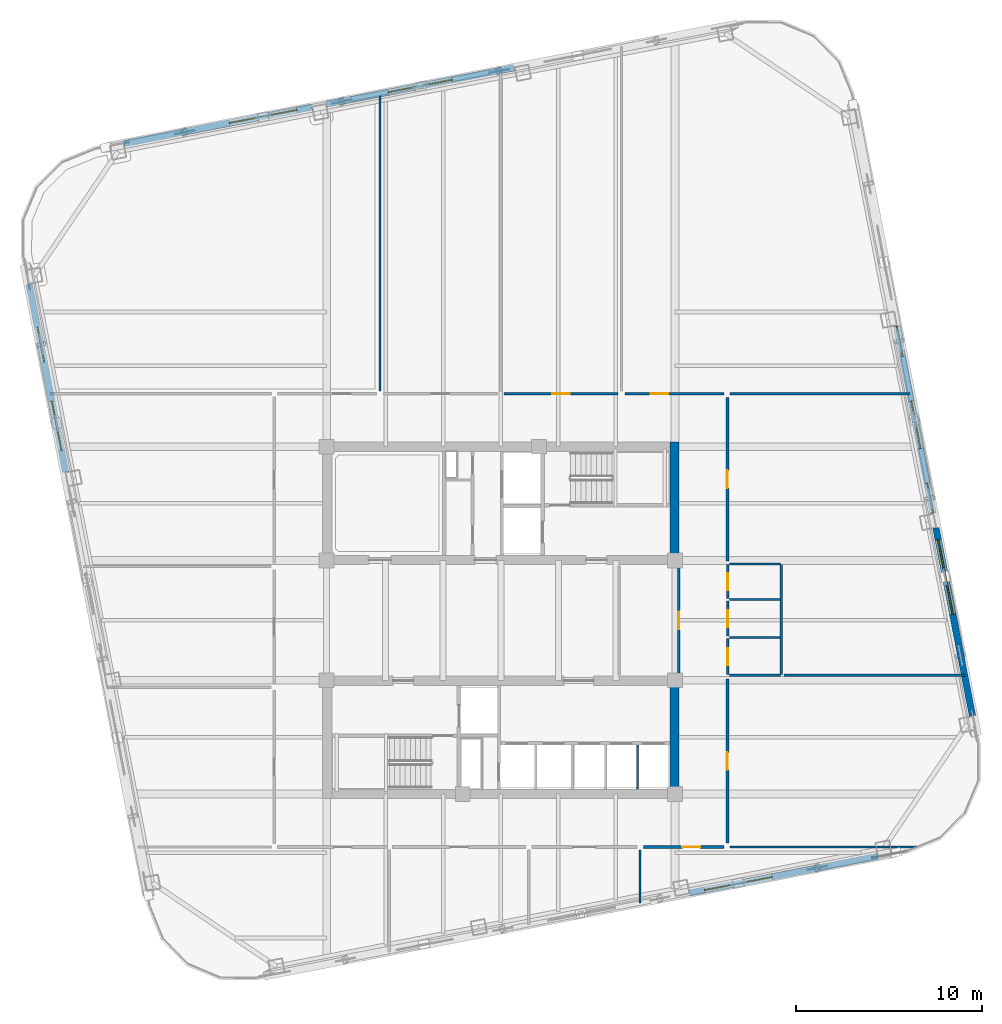
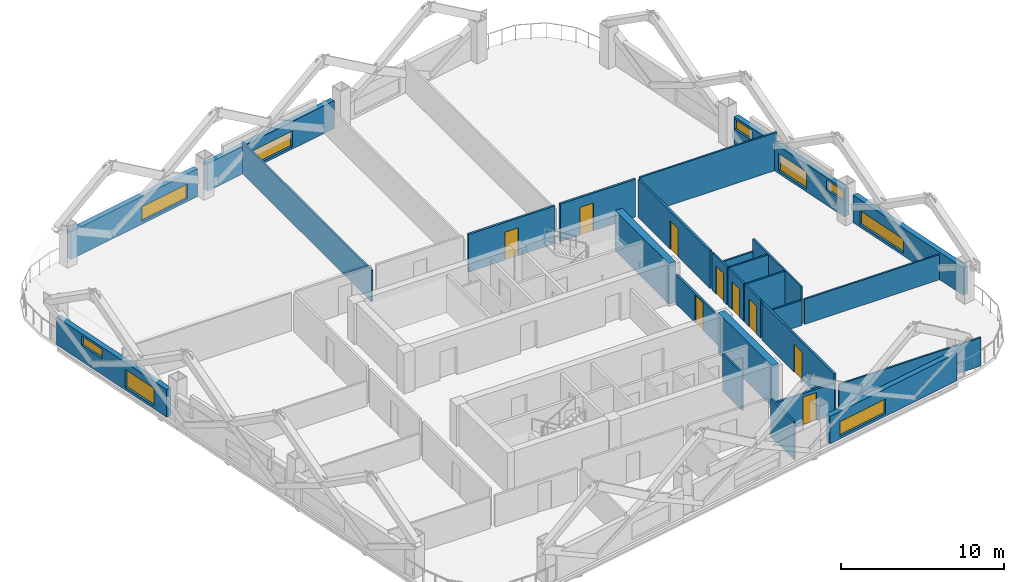
# One storey, part 6 of 10: 28 walls, 9 doors, 9 windows, 18 openings.
"""IFC4 building model written with IfcOpenShell, lengths in metres."""

from ifc_helpers import new_model, si_unit, direction, frame, frame_2d, origin, place, context, subcontext, project, spatial, rectangle, extrude, material, layer, layer_set, type_object, element, fill, save


model = new_model("IFC4")

# Units and contexts
model_context = context("Model", 3, precision=1e-05, world=origin(), true_north=direction((0.0, 1.0)))
body_context = subcontext(model_context, "Body", "Model", "MODEL_VIEW")
ifc_project = project(units=[si_unit("LENGTHUNIT", "METRE"), si_unit("AREAUNIT", "SQUARE_METRE"), si_unit("VOLUMEUNIT", "CUBIC_METRE"), si_unit("PLANEANGLEUNIT", "RADIAN"), si_unit("MASSUNIT", "GRAM", prefix="KILO")], contexts=[model_context])

# Site, building, storey
site_placement = place(None, origin())
site = spatial("IfcSite", under=ifc_project, at=site_placement, CompositionType="ELEMENT")
building_placement = place(site_placement, origin())
building = spatial("IfcBuilding", under=site, at=building_placement, Name="Qhalaya Broadcast Tower", CompositionType="ELEMENT")
storey_placement = place(building_placement, frame((0.0, 0.0, 131.10009765625)))
storey = spatial("IfcBuildingStorey", under=building, at=storey_placement, Name="L38", CompositionType="ELEMENT", Elevation=131.10009765625)

# Wall, opening, door
ifc_material_1 = material(Name="Gypsum Acoustic Partition")
ifc_layer_1 = layer(ifc_material_1, 0.14990234375, Name="Gypsum Acoustic Partition")
ifc_layer_set_1 = layer_set([ifc_layer_1], Name="Gypsum Acoustic Partition")
wall_type_1 = type_object("IfcWallType", Name="Corridor & Tenancy Acoustic Partition 150", PredefinedType="PARTITIONING", material=ifc_layer_set_1)
wall_1_placement = place(storey_placement, frame((9.580078125, -2.320068359375, 0.0), z_axis=(0.0, 0.0, 1.0), x_axis=(0.0, 1.0, 0.0)))
wall_1 = element("IfcWall", 1, at=wall_1_placement, inside=storey, type_object=wall_type_1, Name="L38 Partition Wall W-ICHE", PredefinedType="PARTITIONING", context=body_context, shape_type="SweptSolid", body=[
    extrude(rectangle(XDim=5.840087890625, YDim=0.14990234375, at=frame_2d((2.919921875, 0.0))), origin(), (0.0, 0.0, 1.0), 2.197998046875),
])
opening_1_placement = place(wall_1_placement, frame((2.445068359375, 0.0, 0.0)))
opening_1 = element("IfcOpeningElement", 2, at=opening_1_placement, cuts=wall_1, Name="Opening D10", PredefinedType="OPENING", context=body_context, shape_type="SweptSolid", body=[
    extrude(rectangle(XDim=0.949951171875, YDim=2.10009765625, at=frame_2d((0.47509765625, 1.050048828125))), frame((0.0, 0.0869140625, 0.0), z_axis=(0.0, -1.0, 0.0), x_axis=(1.0, 0.0, 0.0)), (0.0, 0.0, 1.0), 0.173828125),
])
ifc_material_2 = material(Name="Timber Veneer Acoustic Door", Category="wood")
door_type_1 = type_object("IfcDoorType", Name="Cellular Office & Edit Booth Door D10", OperationType="NOTDEFINED", PredefinedType="DOOR", material=ifc_material_2)
door_1_placement = place(opening_1_placement, origin())
door_1 = element("IfcDoor", 3, at=door_1_placement, inside=storey, type_object=door_type_1, Name="L38 Door D-ICHE", OperationType="SINGLE_SWING_RIGHT", OverallHeight=2.10009765625, OverallWidth=0.949951171875, PredefinedType="DOOR", context=body_context, shape_type="SweptSolid", body=[
    extrude(rectangle(XDim=0.949951171875, YDim=2.10009765625, at=frame_2d((0.47509765625, 1.050048828125))), frame((0.0, 0.02490234375, 0.0), z_axis=(0.0, -1.0, 0.0), x_axis=(1.0, 0.0, 0.0)), (0.0, 0.0, 1.0), 0.050048828125),
])
fill(opening_1, door_1)

wall_2_placement = place(storey_placement, frame((0.179931640625, 12.800048828125, 0.0), z_axis=(0.0, 0.0, 1.0), x_axis=(1.0, 0.0, 0.0)))
wall_2 = element("IfcWall", 4, at=wall_2_placement, inside=storey, type_object=wall_type_1, Name="L38 Partition Wall W-COR-03", PredefinedType="PARTITIONING", context=body_context, shape_type="SweptSolid", body=[
    extrude(rectangle(XDim=6.14013671875, YDim=0.14990234375, at=frame_2d((3.070068359375, 0.0))), origin(), (0.0, 0.0, 1.0), 2.829833984375),
])
opening_2_placement = place(wall_2_placement, frame((2.594970703125, 0.0, 0.0)))
opening_2 = element("IfcOpeningElement", 5, at=opening_2_placement, cuts=wall_2, Name="Opening D10", PredefinedType="OPENING", context=body_context, shape_type="SweptSolid", body=[
    extrude(rectangle(XDim=0.949951171875, YDim=2.10009765625, at=frame_2d((0.47509765625, 1.050048828125))), frame((0.0, 0.0869140625, 0.0), z_axis=(0.0, -1.0, 0.0), x_axis=(1.0, 0.0, 0.0)), (0.0, 0.0, 1.0), 0.173828125),
])
door_2_placement = place(opening_2_placement, origin())
door_2 = element("IfcDoor", 6, at=door_2_placement, inside=storey, type_object=door_type_1, Name="L38 Door D-RM03", OperationType="SINGLE_SWING_RIGHT", OverallHeight=2.10009765625, OverallWidth=0.949951171875, PredefinedType="DOOR", context=body_context, shape_type="SweptSolid", body=[
    extrude(rectangle(XDim=0.949951171875, YDim=2.10009765625, at=frame_2d((0.47509765625, 1.050048828125))), frame((0.0, 0.02490234375, 0.0), z_axis=(0.0, -1.0, 0.0), x_axis=(1.0, 0.0, 0.0)), (0.0, 0.0, 1.0), 0.050048828125),
])
fill(opening_2, door_2)

wall_3_placement = place(storey_placement, frame((6.679931640625, 12.800048828125, 0.0), z_axis=(0.0, 0.0, 1.0), x_axis=(1.0, 0.0, 0.0)))
wall_3 = element("IfcWall", 7, at=wall_3_placement, inside=storey, type_object=wall_type_1, Name="L38 Partition Wall W-COR-04", PredefinedType="PARTITIONING", context=body_context, shape_type="SweptSolid", body=[
    extrude(rectangle(XDim=5.340087890625, YDim=0.14990234375, at=frame_2d((2.669921875, 0.0))), origin(), (0.0, 0.0, 1.0), 2.829833984375),
])
opening_3_placement = place(wall_3_placement, frame((1.39501953125, 0.0, 0.0)))
opening_3 = element("IfcOpeningElement", 8, at=opening_3_placement, cuts=wall_3, Name="Opening D10", PredefinedType="OPENING", context=body_context, shape_type="SweptSolid", body=[
    extrude(rectangle(XDim=0.949951171875, YDim=2.10009765625, at=frame_2d((0.47509765625, 1.050048828125))), frame((0.0, 0.0869140625, 0.0), z_axis=(0.0, -1.0, 0.0), x_axis=(1.0, 0.0, 0.0)), (0.0, 0.0, 1.0), 0.173828125),
])
door_3_placement = place(opening_3_placement, origin())
door_3 = element("IfcDoor", 9, at=door_3_placement, inside=storey, type_object=door_type_1, Name="L38 Door D-RM04", OperationType="SINGLE_SWING_LEFT", OverallHeight=2.10009765625, OverallWidth=0.949951171875, PredefinedType="DOOR", context=body_context, shape_type="SweptSolid", body=[
    extrude(rectangle(XDim=0.949951171875, YDim=2.10009765625, at=frame_2d((0.47509765625, 1.050048828125))), frame((0.0, 0.02490234375, 0.0), z_axis=(0.0, -1.0, 0.0), x_axis=(1.0, 0.0, 0.0)), (0.0, 0.0, 1.0), 0.050048828125),
])
fill(opening_3, door_3)

wall_4_placement = place(storey_placement, frame((7.679931640625, -11.60009765625, 0.0), z_axis=(0.0, 0.0, 1.0), x_axis=(1.0, 0.0, 0.0)))
wall_4 = element("IfcWall", 10, at=wall_4_placement, inside=storey, type_object=wall_type_1, Name="L38 Partition Wall W-COR-08", PredefinedType="PARTITIONING", context=body_context, shape_type="SweptSolid", body=[
    extrude(rectangle(XDim=4.340087890625, YDim=0.14990234375, at=frame_2d((2.169921875, 0.0))), origin(), (0.0, 0.0, 1.0), 2.346923828125),
])
opening_4_placement = place(wall_4_placement, frame((2.094970703125, 0.0, 0.0)))
opening_4 = element("IfcOpeningElement", 11, at=opening_4_placement, cuts=wall_4, Name="Opening D10", PredefinedType="OPENING", context=body_context, shape_type="SweptSolid", body=[
    extrude(rectangle(XDim=0.949951171875, YDim=2.10009765625, at=frame_2d((0.47509765625, 1.050048828125))), frame((0.0, 0.0869140625, 0.0), z_axis=(0.0, -1.0, 0.0), x_axis=(1.0, 0.0, 0.0)), (0.0, 0.0, 1.0), 0.173828125),
])
door_4_placement = place(opening_4_placement, origin())
door_4 = element("IfcDoor", 12, at=door_4_placement, inside=storey, type_object=door_type_1, Name="L38 Door D-RM08", OperationType="SINGLE_SWING_LEFT", OverallHeight=2.10009765625, OverallWidth=0.949951171875, PredefinedType="DOOR", context=body_context, shape_type="SweptSolid", body=[
    extrude(rectangle(XDim=0.949951171875, YDim=2.10009765625, at=frame_2d((0.47509765625, 1.050048828125))), frame((0.0, 0.02490234375, 0.0), z_axis=(0.0, -1.0, 0.0), x_axis=(1.0, 0.0, 0.0)), (0.0, 0.0, 1.0), 0.050048828125),
])
fill(opening_4, door_4)

wall_5_placement = place(storey_placement, frame((12.199951171875, -11.39990234375, 0.0), z_axis=(0.0, 0.0, 1.0), x_axis=(0.0, 1.0, 0.0)))
wall_5 = element("IfcWall", 13, at=wall_5_placement, inside=storey, type_object=wall_type_1, Name="L38 Partition Wall W-COR-12", PredefinedType="PARTITIONING", context=body_context, shape_type="SweptSolid", body=[
    extrude(rectangle(XDim=8.83984375, YDim=0.14990234375, at=frame_2d((4.419921875, 0.0))), origin(), (0.0, 0.0, 1.0), 2.829833984375),
])
opening_5_placement = place(wall_5_placement, frame((3.945068359375, 0.0, 0.0)))
opening_5 = element("IfcOpeningElement", 14, at=opening_5_placement, cuts=wall_5, Name="Opening D10", PredefinedType="OPENING", context=body_context, shape_type="SweptSolid", body=[
    extrude(rectangle(XDim=0.949951171875, YDim=2.10009765625, at=frame_2d((0.47509765625, 1.050048828125))), frame((0.0, 0.0869140625, 0.0), z_axis=(0.0, -1.0, 0.0), x_axis=(1.0, 0.0, 0.0)), (0.0, 0.0, 1.0), 0.173828125),
])
door_5_placement = place(opening_5_placement, origin())
door_5 = element("IfcDoor", 15, at=door_5_placement, inside=storey, type_object=door_type_1, Name="L38 Door D-RM12", OperationType="SINGLE_SWING_LEFT", OverallHeight=2.10009765625, OverallWidth=0.949951171875, PredefinedType="DOOR", context=body_context, shape_type="SweptSolid", body=[
    extrude(rectangle(XDim=0.949951171875, YDim=2.10009765625, at=frame_2d((0.47509765625, 1.050048828125))), frame((0.0, 0.02490234375, 0.0), z_axis=(0.0, -1.0, 0.0), x_axis=(1.0, 0.0, 0.0)), (0.0, 0.0, 1.0), 0.050048828125),
])
fill(opening_5, door_5)

wall_6_placement = place(storey_placement, frame((12.199951171875, 3.800048828125, 0.0), z_axis=(0.0, 0.0, 1.0), x_axis=(0.0, 1.0, 0.0)))
wall_6 = element("IfcWall", 16, at=wall_6_placement, inside=storey, type_object=wall_type_1, Name="L38 Partition Wall W-COR-13", PredefinedType="PARTITIONING", context=body_context, shape_type="SweptSolid", body=[
    extrude(rectangle(XDim=8.800048828125, YDim=0.14990234375, at=frame_2d((4.39990234375, 0.0))), origin(), (0.0, 0.0, 1.0), 2.829833984375),
])
opening_6_placement = place(wall_6_placement, frame((3.925048828125, 0.0, 0.0)))
opening_6 = element("IfcOpeningElement", 17, at=opening_6_placement, cuts=wall_6, Name="Opening D10", PredefinedType="OPENING", context=body_context, shape_type="SweptSolid", body=[
    extrude(rectangle(XDim=0.949951171875, YDim=2.10009765625, at=frame_2d((0.47509765625, 1.050048828125))), frame((0.0, 0.0869140625, 0.0), z_axis=(0.0, -1.0, 0.0), x_axis=(1.0, 0.0, 0.0)), (0.0, 0.0, 1.0), 0.173828125),
])
door_6_placement = place(opening_6_placement, origin())
door_6 = element("IfcDoor", 18, at=door_6_placement, inside=storey, type_object=door_type_1, Name="L38 Door D-RM13", OperationType="SINGLE_SWING_RIGHT", OverallHeight=2.10009765625, OverallWidth=0.949951171875, PredefinedType="DOOR", context=body_context, shape_type="SweptSolid", body=[
    extrude(rectangle(XDim=0.949951171875, YDim=2.10009765625, at=frame_2d((0.47509765625, 1.050048828125))), frame((0.0, 0.02490234375, 0.0), z_axis=(0.0, -1.0, 0.0), x_axis=(1.0, 0.0, 0.0)), (0.0, 0.0, 1.0), 0.050048828125),
])
fill(opening_6, door_6)

# Wall, opening, window
ifc_material_3 = material(Name="Precast Concrete C40/50", Category="concrete")
ifc_layer_2 = layer(ifc_material_3, 0.360107421875, Name="Precast Concrete C40/50")
ifc_layer_set_2 = layer_set([ifc_layer_2], Name="Precast Concrete C40/50")
wall_type_2 = type_object("IfcWallType", Name="Insulated Precast Terracotta Exterior Wall 360", PredefinedType="SOLIDWALL", material=ifc_layer_set_2)
wall_7_placement = place(storey_placement, frame((20.29638671875, -12.10986328125, 0.0), z_axis=(0.0, 0.0, 1.0), x_axis=(-0.981628941133, -0.190799952646, 0.0)))
wall_7 = element("IfcWall", 19, at=wall_7_placement, inside=storey, type_object=wall_type_2, Name="L38 Exoskeleton Diagrid Infill Wall S1", PredefinedType="SOLIDWALL", context=body_context, shape_type="SweptSolid", body=[
    extrude(rectangle(XDim=10.31201171875, YDim=0.360107421875, at=frame_2d((5.156005859375, 0.0))), origin(), (0.0, 0.0, 1.0), 2.06689453125),
])
opening_7_placement = place(wall_7_placement, frame((5.800048828125, 0.0, 0.199951171875)))
opening_7 = element("IfcOpeningElement", 20, at=opening_7_placement, cuts=wall_7, Name="Opening W11", PredefinedType="OPENING", context=body_context, shape_type="SweptSolid", body=[
    extrude(rectangle(XDim=3.699951171875, YDim=1.10009765625, at=frame_2d((1.85009765625, 0.550048828125))), frame((0.0, 0.192138671875, 0.0), z_axis=(0.0, -1.0, 0.0), x_axis=(1.0, 0.0, 0.0)), (0.0, 0.0, 1.0), 0.384033203125),
])
ifc_material_4 = material(Name="Solar-Control Low-E Triple Glazing", Category="glass")
window_type = type_object("IfcWindowType", Name="Odd-Block Diagrid Infill Window W11", PartitioningType="SINGLE_PANEL", PredefinedType="WINDOW", material=ifc_material_4)
window_1_placement = place(opening_7_placement, origin())
window_1 = element("IfcWindow", 21, at=window_1_placement, inside=storey, type_object=window_type, Name="L38 Diagrid Infill Window W11-S1", OverallHeight=1.10009765625, OverallWidth=3.699951171875, PartitioningType="SINGLE_PANEL", PredefinedType="WINDOW", context=body_context, shape_type="SweptSolid", body=[
    extrude(rectangle(XDim=3.699951171875, YDim=1.10009765625, at=frame_2d((1.85009765625, 0.550048828125))), frame((0.0, 0.030029296875, 0.0), z_axis=(0.0, -1.0, 0.0), x_axis=(1.0, 0.0, 0.0)), (0.0, 0.0, 1.0), 0.06005859375),
])
fill(opening_7, window_1)

# Wall, openings, windows
wall_8_placement = place(storey_placement, frame((21.31005859375, 16.468505859375, 0.0), z_axis=(0.0, 0.0, 1.0), x_axis=(0.190811924826, -0.981626614016, 0.0)))
wall_8 = element("IfcWall", 22, at=wall_8_placement, inside=storey, type_object=wall_type_2, Name="L38 Exoskeleton Diagrid Infill Wall E2", PredefinedType="SOLIDWALL", context=body_context, shape_type="SweptSolid", body=[
    extrude(rectangle(XDim=10.2998046875, YDim=0.360107421875, at=frame_2d((5.14990234375, 0.0))), origin(), (0.0, 0.0, 1.0), 2.06689453125),
])
opening_8_placement = place(wall_8_placement, frame((0.0380859375, 0.0, 1.14990234375)))
opening_8 = element("IfcOpeningElement", 23, at=opening_8_placement, cuts=wall_8, Name="Opening W11", PredefinedType="OPENING", context=body_context, shape_type="SweptSolid", body=[
    extrude(rectangle(XDim=1.64990234375, YDim=0.75, at=frame_2d((0.824951171875, 0.375))), frame((0.0, 0.192138671875, 0.0), z_axis=(0.0, -1.0, 0.0), x_axis=(1.0, 0.0, 0.0)), (0.0, 0.0, 1.0), 0.384033203125),
])
opening_9_placement = place(wall_8_placement, frame((4.137939453125, 0.0, 0.199951171875)))
opening_9 = element("IfcOpeningElement", 24, at=opening_9_placement, cuts=wall_8, Name="Opening W11", PredefinedType="OPENING", context=body_context, shape_type="SweptSolid", body=[
    extrude(rectangle(XDim=2.60009765625, YDim=1.300048828125, at=frame_2d((1.300048828125, 0.64990234375))), frame((0.0, 0.192138671875, 0.0), z_axis=(0.0, -1.0, 0.0), x_axis=(1.0, 0.0, 0.0)), (0.0, 0.0, 1.0), 0.384033203125),
])
opening_10_placement = place(wall_8_placement, frame((8.637939453125, 0.0, 1.14990234375)))
opening_10 = element("IfcOpeningElement", 25, at=opening_10_placement, cuts=wall_8, Name="Opening W11", PredefinedType="OPENING", context=body_context, shape_type="SweptSolid", body=[
    extrude(rectangle(XDim=1.60009765625, YDim=0.75, at=frame_2d((0.800048828125, 0.375))), frame((0.0, 0.192138671875, 0.0), z_axis=(0.0, -1.0, 0.0), x_axis=(1.0, 0.0, 0.0)), (0.0, 0.0, 1.0), 0.384033203125),
])
window_2_placement = place(opening_8_placement, origin())
window_2 = element("IfcWindow", 26, at=window_2_placement, inside=storey, type_object=window_type, Name="L38 Diagrid Infill Window W11-E2", OverallHeight=0.75, OverallWidth=1.64990234375, PartitioningType="SINGLE_PANEL", PredefinedType="WINDOW", context=body_context, shape_type="SweptSolid", body=[
    extrude(rectangle(XDim=1.64990234375, YDim=0.75, at=frame_2d((0.824951171875, 0.375))), frame((0.0, 0.030029296875, 0.0), z_axis=(0.0, -1.0, 0.0), x_axis=(1.0, 0.0, 0.0)), (0.0, 0.0, 1.0), 0.06005859375),
])
fill(opening_8, window_2)
window_3_placement = place(opening_9_placement, origin())
window_3 = element("IfcWindow", 27, at=window_3_placement, inside=storey, type_object=window_type, Name="L38 Diagrid Infill Window W11-E3", OverallHeight=1.300048828125, OverallWidth=2.60009765625, PartitioningType="SINGLE_PANEL", PredefinedType="WINDOW", context=body_context, shape_type="SweptSolid", body=[
    extrude(rectangle(XDim=2.60009765625, YDim=1.300048828125, at=frame_2d((1.300048828125, 0.64990234375))), frame((0.0, 0.030029296875, 0.0), z_axis=(0.0, -1.0, 0.0), x_axis=(1.0, 0.0, 0.0)), (0.0, 0.0, 1.0), 0.06005859375),
])
fill(opening_9, window_3)
window_4_placement = place(opening_10_placement, origin())
window_4 = element("IfcWindow", 28, at=window_4_placement, inside=storey, type_object=window_type, Name="L38 Diagrid Infill Window W11-E4", OverallHeight=0.75, OverallWidth=1.60009765625, PartitioningType="SINGLE_PANEL", PredefinedType="WINDOW", context=body_context, shape_type="SweptSolid", body=[
    extrude(rectangle(XDim=1.60009765625, YDim=0.75, at=frame_2d((0.800048828125, 0.375))), frame((0.0, 0.030029296875, 0.0), z_axis=(0.0, -1.0, 0.0), x_axis=(1.0, 0.0, 0.0)), (0.0, 0.0, 1.0), 0.06005859375),
])
fill(opening_10, window_4)

# Wall, opening, window
wall_9_placement = place(storey_placement, frame((23.427978515625, 5.572509765625, 0.0), z_axis=(0.0, 0.0, 1.0), x_axis=(0.190827200853, -0.981623644486, 0.0)))
wall_9 = element("IfcWall", 29, at=wall_9_placement, inside=storey, type_object=wall_type_2, Name="L38 Exoskeleton Diagrid Infill Wall E3", PredefinedType="SOLIDWALL", context=body_context, shape_type="SweptSolid", body=[
    extrude(rectangle(XDim=10.311767578125, YDim=0.360107421875, at=frame_2d((5.15576171875, 0.0))), origin(), (0.0, 0.0, 1.0), 2.06689453125),
])
opening_11_placement = place(wall_9_placement, frame((0.637939453125, 0.0, 0.199951171875)))
opening_11 = element("IfcOpeningElement", 30, at=opening_11_placement, cuts=wall_9, Name="Opening W11", PredefinedType="OPENING", context=body_context, shape_type="SweptSolid", body=[
    extrude(rectangle(XDim=4.10009765625, YDim=1.050048828125, at=frame_2d((2.050048828125, 0.52490234375))), frame((0.0, 0.192138671875, 0.0), z_axis=(0.0, -1.0, 0.0), x_axis=(1.0, 0.0, 0.0)), (0.0, 0.0, 1.0), 0.384033203125),
])
window_5_placement = place(opening_11_placement, origin())
window_5 = element("IfcWindow", 31, at=window_5_placement, inside=storey, type_object=window_type, Name="L38 Diagrid Infill Window W11-E5", OverallHeight=1.050048828125, OverallWidth=4.10009765625, PartitioningType="SINGLE_PANEL", PredefinedType="WINDOW", context=body_context, shape_type="SweptSolid", body=[
    extrude(rectangle(XDim=4.10009765625, YDim=1.050048828125, at=frame_2d((2.050048828125, 0.52490234375))), frame((0.0, 0.030029296875, 0.0), z_axis=(0.0, -1.0, 0.0), x_axis=(1.0, 0.0, 0.0)), (0.0, 0.0, 1.0), 0.06005859375),
])
fill(opening_11, window_5)

wall_10_placement = place(storey_placement, frame((-20.29638671875, 26.269775390625, 0.0), z_axis=(0.0, 0.0, 1.0), x_axis=(0.981628941133, 0.190799952646, 0.0)))
wall_10 = element("IfcWall", 32, at=wall_10_placement, inside=storey, type_object=wall_type_2, Name="L38 Exoskeleton Diagrid Infill Wall N1", PredefinedType="SOLIDWALL", context=body_context, shape_type="SweptSolid", body=[
    extrude(rectangle(XDim=10.31201171875, YDim=0.360107421875, at=frame_2d((5.156005859375, 0.0))), origin(), (0.0, 0.0, 1.0), 2.06689453125),
])
opening_12_placement = place(wall_10_placement, frame((5.800048828125, 0.0, 0.199951171875)))
opening_12 = element("IfcOpeningElement", 33, at=opening_12_placement, cuts=wall_10, Name="Opening W11", PredefinedType="OPENING", context=body_context, shape_type="SweptSolid", body=[
    extrude(rectangle(XDim=3.699951171875, YDim=1.10009765625, at=frame_2d((1.85009765625, 0.550048828125))), frame((0.0, 0.192138671875, 0.0), z_axis=(0.0, -1.0, 0.0), x_axis=(1.0, 0.0, 0.0)), (0.0, 0.0, 1.0), 0.384033203125),
])
window_6_placement = place(opening_12_placement, origin())
window_6 = element("IfcWindow", 34, at=window_6_placement, inside=storey, type_object=window_type, Name="L38 Diagrid Infill Window W11-N1", OverallHeight=1.10009765625, OverallWidth=3.699951171875, PartitioningType="SINGLE_PANEL", PredefinedType="WINDOW", context=body_context, shape_type="SweptSolid", body=[
    extrude(rectangle(XDim=3.699951171875, YDim=1.10009765625, at=frame_2d((1.85009765625, 0.550048828125))), frame((0.0, 0.030029296875, 0.0), z_axis=(0.0, -1.0, 0.0), x_axis=(1.0, 0.0, 0.0)), (0.0, 0.0, 1.0), 0.06005859375),
])
fill(opening_12, window_6)

wall_11_placement = place(storey_placement, frame((-9.388671875, 28.39013671875, 0.0), z_axis=(0.0, 0.0, 1.0), x_axis=(0.981627477005, 0.190807485147, 0.0)))
wall_11 = element("IfcWall", 35, at=wall_11_placement, inside=storey, type_object=wall_type_2, Name="L38 Exoskeleton Diagrid Infill Wall N2", PredefinedType="SOLIDWALL", context=body_context, shape_type="SweptSolid", body=[
    extrude(rectangle(XDim=10.300048828125, YDim=0.360107421875, at=frame_2d((5.14990234375, 0.0))), origin(), (0.0, 0.0, 1.0), 2.06689453125),
])
opening_13_placement = place(wall_11_placement, frame((3.387939453125, 0.0, 0.199951171875)))
opening_13 = element("IfcOpeningElement", 36, at=opening_13_placement, cuts=wall_11, Name="Opening W11", PredefinedType="OPENING", context=body_context, shape_type="SweptSolid", body=[
    extrude(rectangle(XDim=3.5, YDim=1.14990234375, at=frame_2d((1.75, 0.574951171875))), frame((0.0, 0.192138671875, 0.0), z_axis=(0.0, -1.0, 0.0), x_axis=(1.0, 0.0, 0.0)), (0.0, 0.0, 1.0), 0.384033203125),
])
window_7_placement = place(opening_13_placement, origin())
window_7 = element("IfcWindow", 37, at=window_7_placement, inside=storey, type_object=window_type, Name="L38 Diagrid Infill Window W11-N2", OverallHeight=1.14990234375, OverallWidth=3.5, PartitioningType="SINGLE_PANEL", PredefinedType="WINDOW", context=body_context, shape_type="SweptSolid", body=[
    extrude(rectangle(XDim=3.5, YDim=1.14990234375, at=frame_2d((1.75, 0.574951171875))), frame((0.0, 0.030029296875, 0.0), z_axis=(0.0, -1.0, 0.0), x_axis=(1.0, 0.0, 0.0)), (0.0, 0.0, 1.0), 0.06005859375),
])
fill(opening_13, window_7)

# Wall, openings, windows
wall_12_placement = place(storey_placement, frame((-23.427978515625, 8.58740234375, 0.0), z_axis=(0.0, 0.0, 1.0), x_axis=(-0.190822765986, 0.981624506612, 0.0)))
wall_12 = element("IfcWall", 38, at=wall_12_placement, inside=storey, type_object=wall_type_2, Name="L38 Exoskeleton Diagrid Infill Wall W3", PredefinedType="SOLIDWALL", context=body_context, shape_type="SweptSolid", body=[
    extrude(rectangle(XDim=10.31201171875, YDim=0.360107421875, at=frame_2d((5.156005859375, 0.0))), origin(), (0.0, 0.0, 1.0), 2.06689453125),
])
opening_14_placement = place(wall_12_placement, frame((1.18798828125, 0.0, 0.199951171875)))
opening_14 = element("IfcOpeningElement", 39, at=opening_14_placement, cuts=wall_12, Name="Opening W11", PredefinedType="OPENING", context=body_context, shape_type="SweptSolid", body=[
    extrude(rectangle(XDim=2.699951171875, YDim=1.35009765625, at=frame_2d((1.35009765625, 0.675048828125))), frame((0.0, 0.192138671875, 0.0), z_axis=(0.0, -1.0, 0.0), x_axis=(1.0, 0.0, 0.0)), (0.0, 0.0, 1.0), 0.384033203125),
])
opening_15_placement = place(wall_12_placement, frame((6.0380859375, 0.0, 1.199951171875)))
opening_15 = element("IfcOpeningElement", 40, at=opening_15_placement, cuts=wall_12, Name="Opening W11", PredefinedType="OPENING", context=body_context, shape_type="SweptSolid", body=[
    extrude(rectangle(XDim=1.89990234375, YDim=0.699951171875, at=frame_2d((0.949951171875, 0.35009765625))), frame((0.0, 0.192138671875, 0.0), z_axis=(0.0, -1.0, 0.0), x_axis=(1.0, 0.0, 0.0)), (0.0, 0.0, 1.0), 0.384033203125),
])
window_8_placement = place(opening_14_placement, origin())
window_8 = element("IfcWindow", 41, at=window_8_placement, inside=storey, type_object=window_type, Name="L38 Diagrid Infill Window W11-W5", OverallHeight=1.35009765625, OverallWidth=2.699951171875, PartitioningType="SINGLE_PANEL", PredefinedType="WINDOW", context=body_context, shape_type="SweptSolid", body=[
    extrude(rectangle(XDim=2.699951171875, YDim=1.35009765625, at=frame_2d((1.35009765625, 0.675048828125))), frame((0.0, 0.030029296875, 0.0), z_axis=(0.0, -1.0, 0.0), x_axis=(1.0, 0.0, 0.0)), (0.0, 0.0, 1.0), 0.06005859375),
])
fill(opening_14, window_8)
window_9_placement = place(opening_15_placement, origin())
window_9 = element("IfcWindow", 42, at=window_9_placement, inside=storey, type_object=window_type, Name="L38 Diagrid Infill Window W11-W6", OverallHeight=0.699951171875, OverallWidth=1.89990234375, PartitioningType="SINGLE_PANEL", PredefinedType="WINDOW", context=body_context, shape_type="SweptSolid", body=[
    extrude(rectangle(XDim=1.89990234375, YDim=0.699951171875, at=frame_2d((0.949951171875, 0.35009765625))), frame((0.0, 0.030029296875, 0.0), z_axis=(0.0, -1.0, 0.0), x_axis=(1.0, 0.0, 0.0)), (0.0, 0.0, 1.0), 0.06005859375),
])
fill(opening_15, window_9)

# Walls
ifc_material_5 = material(Name="Concrete C50/60", Category="concrete")
ifc_layer_3 = layer(ifc_material_5, 0.5, Name="Concrete C50/60")
ifc_layer_set_3 = layer_set([ifc_layer_3], Name="Concrete C50/60")
wall_type_3 = type_object("IfcWallType", Name="Mid Split-Core Shear Wall 500", PredefinedType="SHEAR", material=ifc_layer_set_3)
wall_13_placement = place(storey_placement, frame((9.35009765625, 3.60009765625, 0.0), z_axis=(0.0, 0.0, 1.0), x_axis=(0.0, 1.0, 0.0)))
element("IfcWall", 43, at=wall_13_placement, inside=storey, type_object=wall_type_3, Name="L38 Split-Core Shear Wall CW-NE", PredefinedType="SHEAR", context=body_context, shape_type="SweptSolid", body=[
    extrude(rectangle(XDim=6.599853515625, YDim=0.5, at=frame_2d((3.2998046875, 0.0))), origin(), (0.0, 0.0, 1.0), 3.0498046875),
])
wall_14_placement = place(storey_placement, frame((9.35009765625, -9.0, 0.0), z_axis=(0.0, 0.0, 1.0), x_axis=(0.0, 1.0, 0.0)))
element("IfcWall", 44, at=wall_14_placement, inside=storey, type_object=wall_type_3, Name="L38 Split-Core Shear Wall CW-SE", PredefinedType="SHEAR", context=body_context, shape_type="SweptSolid", body=[
    extrude(rectangle(XDim=6.60009765625, YDim=0.5, at=frame_2d((3.300048828125, 0.0))), origin(), (0.0, 0.0, 1.0), 3.0498046875),
])
ifc_layer_4 = layer(ifc_material_1, 0.1201171875, Name="Gypsum Acoustic Partition")
ifc_layer_set_4 = layer_set([ifc_layer_4], Name="Gypsum Acoustic Partition")
wall_type_4 = type_object("IfcWallType", Name="Office, Booth & Sanitary Partition 120", PredefinedType="PARTITIONING", material=ifc_layer_set_4)
wall_15_placement = place(storey_placement, frame((7.360107421875, -8.47998046875, 0.0), z_axis=(0.0, 0.0, 1.0), x_axis=(0.0, 1.0, 0.0)))
element("IfcWall", 45, at=wall_15_placement, inside=storey, type_object=wall_type_4, Name="L38 Partition Wall SCW-HD7", PredefinedType="PARTITIONING", context=body_context, shape_type="SweptSolid", body=[
    extrude(rectangle(XDim=2.3798828125, YDim=0.1201171875, at=frame_2d((1.18994140625, 0.0))), origin(), (0.0, 0.0, 1.0), 2.829833984375),
])

# Wall, opening, door
wall_16_placement = place(storey_placement, frame((12.219970703125, -2.320068359375, 0.0), z_axis=(0.0, 0.0, 1.0), x_axis=(0.0, 1.0, 0.0)))
wall_16 = element("IfcWall", 46, at=wall_16_placement, inside=storey, type_object=wall_type_4, Name="L38 Partition Wall W-WCWA", PredefinedType="PARTITIONING", context=body_context, shape_type="SweptSolid", body=[
    extrude(rectangle(XDim=1.940185546875, YDim=0.1201171875, at=frame_2d((0.97021484375, 0.0))), origin(), (0.0, 0.0, 1.0), 2.829833984375),
])
opening_16_placement = place(wall_16_placement, frame((0.4951171875, 0.0, 0.0)))
opening_16 = element("IfcOpeningElement", 47, at=opening_16_placement, cuts=wall_16, Name="Opening D12", PredefinedType="OPENING", context=body_context, shape_type="SweptSolid", body=[
    extrude(rectangle(XDim=0.919921875, YDim=2.10009765625, at=frame_2d((0.4599609375, 1.050048828125))), frame((0.0, 0.072021484375, 0.0), z_axis=(0.0, -1.0, 0.0), x_axis=(1.0, 0.0, 0.0)), (0.0, 0.0, 1.0), 0.14404296875),
])
door_type_2 = type_object("IfcDoorType", Name="Accessible WC & Restroom Door D12", OperationType="NOTDEFINED", PredefinedType="DOOR", material=ifc_material_2)
door_7_placement = place(opening_16_placement, origin())
door_7 = element("IfcDoor", 48, at=door_7_placement, inside=storey, type_object=door_type_2, Name="L38 Door D-WCA", OperationType="SINGLE_SWING_LEFT", OverallHeight=2.10009765625, OverallWidth=0.919921875, PredefinedType="DOOR", context=body_context, shape_type="SweptSolid", body=[
    extrude(rectangle(XDim=0.919921875, YDim=2.10009765625, at=frame_2d((0.4599609375, 1.050048828125))), frame((0.0, 0.02490234375, 0.0), z_axis=(0.0, -1.0, 0.0), x_axis=(1.0, 0.0, 0.0)), (0.0, 0.0, 1.0), 0.050048828125),
])
fill(opening_16, door_7)

wall_17_placement = place(storey_placement, frame((12.219970703125, -0.25, 0.0), z_axis=(0.0, 0.0, 1.0), x_axis=(0.0, 1.0, 0.0)))
wall_17 = element("IfcWall", 49, at=wall_17_placement, inside=storey, type_object=wall_type_4, Name="L38 Partition Wall W-WCWM", PredefinedType="PARTITIONING", context=body_context, shape_type="SweptSolid", body=[
    extrude(rectangle(XDim=1.89990234375, YDim=0.1201171875, at=frame_2d((0.949951171875, 0.0))), origin(), (0.0, 0.0, 1.0), 2.829833984375),
])
opening_17_placement = place(wall_17_placement, frame((0.47509765625, 0.0, 0.0)))
opening_17 = element("IfcOpeningElement", 50, at=opening_17_placement, cuts=wall_17, Name="Opening D12", PredefinedType="OPENING", context=body_context, shape_type="SweptSolid", body=[
    extrude(rectangle(XDim=0.919921875, YDim=2.10009765625, at=frame_2d((0.4599609375, 1.050048828125))), frame((0.0, 0.072021484375, 0.0), z_axis=(0.0, -1.0, 0.0), x_axis=(1.0, 0.0, 0.0)), (0.0, 0.0, 1.0), 0.14404296875),
])
door_8_placement = place(opening_17_placement, origin())
door_8 = element("IfcDoor", 51, at=door_8_placement, inside=storey, type_object=door_type_2, Name="L38 Door D-WCM", OperationType="SINGLE_SWING_RIGHT", OverallHeight=2.10009765625, OverallWidth=0.919921875, PredefinedType="DOOR", context=body_context, shape_type="SweptSolid", body=[
    extrude(rectangle(XDim=0.919921875, YDim=2.10009765625, at=frame_2d((0.4599609375, 1.050048828125))), frame((0.0, 0.02490234375, 0.0), z_axis=(0.0, -1.0, 0.0), x_axis=(1.0, 0.0, 0.0)), (0.0, 0.0, 1.0), 0.050048828125),
])
fill(opening_17, door_8)

wall_18_placement = place(storey_placement, frame((12.219970703125, 1.780029296875, 0.0), z_axis=(0.0, 0.0, 1.0), x_axis=(0.0, 1.0, 0.0)))
wall_18 = element("IfcWall", 52, at=wall_18_placement, inside=storey, type_object=wall_type_4, Name="L38 Partition Wall W-WCWF", PredefinedType="PARTITIONING", context=body_context, shape_type="SweptSolid", body=[
    extrude(rectangle(XDim=1.830078125, YDim=0.1201171875, at=frame_2d((0.9150390625, 0.0))), origin(), (0.0, 0.0, 1.0), 2.829833984375),
])
opening_18_placement = place(wall_18_placement, frame((0.43994140625, 0.0, 0.0)))
opening_18 = element("IfcOpeningElement", 53, at=opening_18_placement, cuts=wall_18, Name="Opening D12", PredefinedType="OPENING", context=body_context, shape_type="SweptSolid", body=[
    extrude(rectangle(XDim=0.919921875, YDim=2.10009765625, at=frame_2d((0.4599609375, 1.050048828125))), frame((0.0, 0.072021484375, 0.0), z_axis=(0.0, -1.0, 0.0), x_axis=(1.0, 0.0, 0.0)), (0.0, 0.0, 1.0), 0.14404296875),
])
door_9_placement = place(opening_18_placement, origin())
door_9 = element("IfcDoor", 54, at=door_9_placement, inside=storey, type_object=door_type_2, Name="L38 Door D-WCF", OperationType="SINGLE_SWING_LEFT", OverallHeight=2.10009765625, OverallWidth=0.919921875, PredefinedType="DOOR", context=body_context, shape_type="SweptSolid", body=[
    extrude(rectangle(XDim=0.919921875, YDim=2.10009765625, at=frame_2d((0.4599609375, 1.050048828125))), frame((0.0, 0.02490234375, 0.0), z_axis=(0.0, -1.0, 0.0), x_axis=(1.0, 0.0, 0.0)), (0.0, 0.0, 1.0), 0.050048828125),
])
fill(opening_18, door_9)

# Walls
wall_19_placement = place(storey_placement, frame((15.10009765625, -2.320068359375, 0.0), z_axis=(0.0, 0.0, 1.0), x_axis=(0.0, 1.0, 0.0)))
element("IfcWall", 55, at=wall_19_placement, inside=storey, type_object=wall_type_4, Name="L38 Partition Wall W-WCE", PredefinedType="PARTITIONING", context=body_context, shape_type="SweptSolid", body=[
    extrude(rectangle(XDim=5.93017578125, YDim=0.1201171875, at=frame_2d((2.965087890625, 0.0))), origin(), (0.0, 0.0, 1.0), 2.829833984375),
])
for number, where, z_axis, x_axis, name in (
    (56, (12.31005859375, -2.35009765625, 0.0), (0.0, 0.0, 1.0), (1.0, 0.0, 0.0), "L38 Partition Wall W-WCS"),
    (57, (12.31005859375, 3.639892578125, 0.0), (0.0, 0.0, 1.0), (1.0, 0.0, 0.0), "L38 Partition Wall W-WCN"),
):
    element("IfcWall", number, at=place(storey_placement, frame(where, z_axis=z_axis, x_axis=x_axis)), inside=storey, type_object=wall_type_4, Name=name, PredefinedType="PARTITIONING", context=body_context, shape_type="SweptSolid", body=[
        extrude(rectangle(XDim=2.760009765625, YDim=0.1201171875, at=frame_2d((1.3798828125, 0.0))), origin(), (0.0, 0.0, 1.0), 1.8828125),
    ])
for number, where, z_axis, x_axis, name in (
    (58, (12.31005859375, -0.320068359375, 0.0), (0.0, 0.0, 1.0), (1.0, 0.0, 0.0), "L38 Partition Wall W-WCD1"),
    (59, (12.31005859375, 1.719970703125, 0.0), (0.0, 0.0, 1.0), (1.0, 0.0, 0.0), "L38 Partition Wall W-WCD2"),
):
    element("IfcWall", number, at=place(storey_placement, frame(where, z_axis=z_axis, x_axis=x_axis)), inside=storey, type_object=wall_type_4, Name=name, PredefinedType="PARTITIONING", context=body_context, shape_type="SweptSolid", body=[
        extrude(rectangle(XDim=2.719970703125, YDim=0.1201171875, at=frame_2d((1.35986328125, 0.0))), origin(), (0.0, 0.0, 1.0), 2.829833984375),
    ])
wall_20_placement = place(storey_placement, frame((12.340087890625, 12.800048828125, 0.0), z_axis=(0.0, 0.0, 1.0), x_axis=(1.0, 0.0, 0.0)))
element("IfcWall", 60, at=wall_20_placement, inside=storey, type_object=wall_type_4, Name="L38 Partition Wall W-BNDE1", PredefinedType="PARTITIONING", context=body_context, shape_type="SweptSolid", body=[
    extrude(rectangle(XDim=9.703369140625, YDim=0.1201171875, at=frame_2d((4.8515625, 0.0))), origin(), (0.0, 0.0, 1.0), 2.829833984375),
])
wall_21_placement = place(storey_placement, frame((12.340087890625, -11.60009765625, 0.0), z_axis=(0.0, 0.0, 1.0), x_axis=(1.0, 0.0, 0.0)))
element("IfcWall", 61, at=wall_21_placement, inside=storey, type_object=wall_type_4, Name="L38 Partition Wall W-BNDE2", PredefinedType="PARTITIONING", context=body_context, shape_type="SweptSolid", body=[
    extrude(rectangle(XDim=10.06640625, YDim=0.1201171875, at=frame_2d((5.033203125, 0.0))), origin(), (0.0, 0.0, 1.0), 2.126953125),
])
wall_22_placement = place(storey_placement, frame((-6.5, 12.9599609375, 0.0), z_axis=(0.0, 0.0, 1.0), x_axis=(0.0, 1.0, 0.0)))
element("IfcWall", 62, at=wall_22_placement, inside=storey, type_object=wall_type_4, Name="L38 Partition Wall W-DIVN1", PredefinedType="PARTITIONING", context=body_context, shape_type="SweptSolid", body=[
    extrude(rectangle(XDim=16.011962890625, YDim=0.1201171875, at=frame_2d((8.005859375, 0.0))), origin(), (0.0, 0.0, 1.0), 2.346923828125),
])
wall_23_placement = place(storey_placement, frame((7.5, -14.617431640625, 0.0), z_axis=(0.0, 0.0, 1.0), x_axis=(0.0, 1.0, 0.0)))
element("IfcWall", 63, at=wall_23_placement, inside=storey, type_object=wall_type_4, Name="L38 Partition Wall W-DIVS3", PredefinedType="PARTITIONING", context=body_context, shape_type="SweptSolid", body=[
    extrude(rectangle(XDim=2.857421875, YDim=0.1201171875, at=frame_2d((1.4287109375, 0.0))), origin(), (0.0, 0.0, 1.0), 2.829833984375),
])
wall_24_placement = place(storey_placement, frame((15.239990234375, -2.35009765625, 0.0), z_axis=(0.0, 0.0, 1.0), x_axis=(1.0, 0.0, 0.0)))
element("IfcWall", 64, at=wall_24_placement, inside=storey, type_object=wall_type_4, Name="L38 Partition Wall W-DIVE-WC", PredefinedType="PARTITIONING", context=body_context, shape_type="SweptSolid", body=[
    extrude(rectangle(XDim=9.748291015625, YDim=0.1201171875, at=frame_2d((4.8740234375, 0.0))), origin(), (0.0, 0.0, 1.0), 1.8828125),
])

save(model, "model.ifc")
